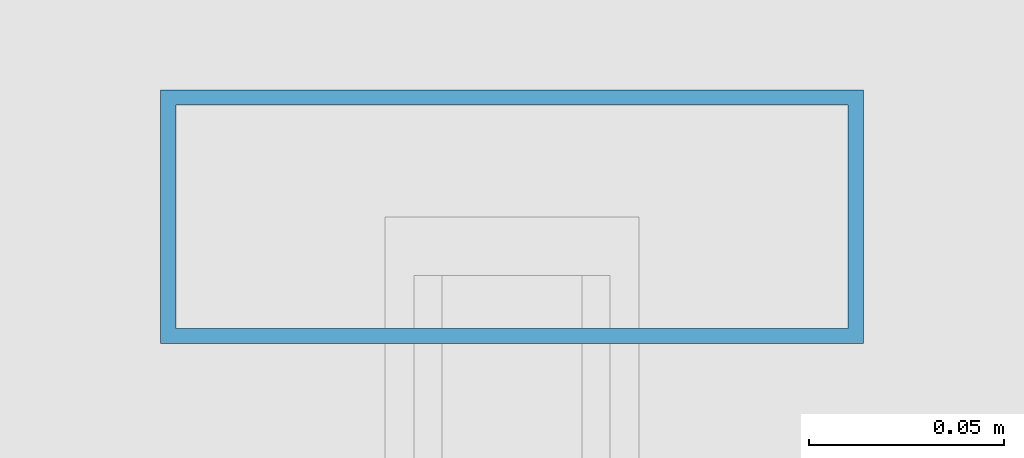
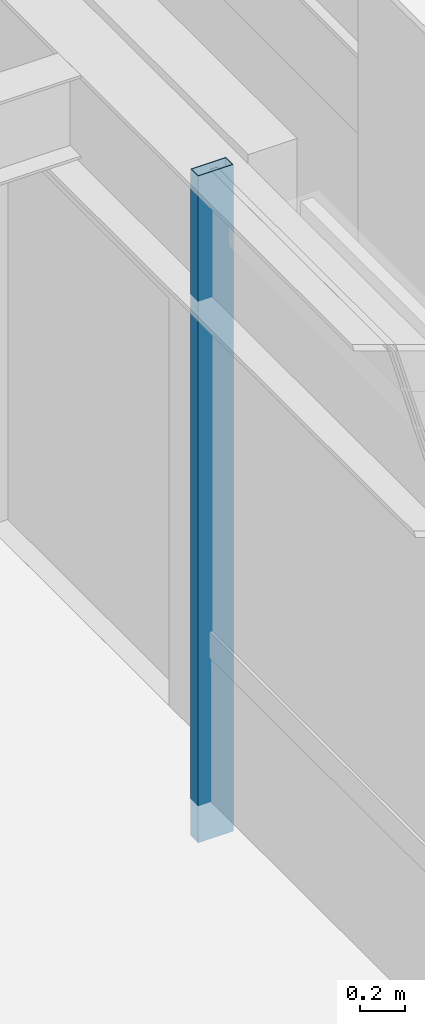
# One storey, part 14 of 31: 1 member, 1 element without a shape of its own.
"""IFC4 building model written with IfcOpenShell, lengths in metres."""

from ifc_helpers import new_model, si_unit, direction, frame, origin, origin_2d, place, context, subcontext, project, spatial, hollow_rectangle, extrude, material, layer, layer_set, material_profile, profile_set, type_object, element, aggregate, save


model = new_model("IFC4")

# Units and contexts
model_context = context("Model", 3, precision=1e-05, world=origin(), true_north=direction((0.0, 1.0)))
body_context = subcontext(model_context, "Body", "Model", "MODEL_VIEW")
ifc_project = project(units=[si_unit("LENGTHUNIT", "METRE"), si_unit("AREAUNIT", "SQUARE_METRE"), si_unit("VOLUMEUNIT", "CUBIC_METRE"), si_unit("PLANEANGLEUNIT", "RADIAN"), si_unit("MASSUNIT", "GRAM", prefix="KILO")], contexts=[model_context])

# Site, building, storey
site_placement = place(None, origin())
site = spatial("IfcSite", under=ifc_project, at=site_placement, CompositionType="ELEMENT")
building_placement = place(site_placement, origin())
building = spatial("IfcBuilding", under=site, at=building_placement, Name="Brelmoor Portico Tower", CompositionType="ELEMENT")
storey_placement = place(building_placement, frame((0.0, 0.0, 27.60009765625)))
storey = spatial("IfcBuildingStorey", under=building, at=storey_placement, Name="L06", CompositionType="ELEMENT", Elevation=27.60009765625)

# Curtain wall, member
ifc_material = material(Name="Anodised Aluminium Alloy 6063-T6", Category="aluminium")
ifc_layer = layer(ifc_material, 0.179931640625)
ifc_layer_set = layer_set([ifc_layer], Name="Anodised Aluminium Alloy 6063-T6")
curtain_wall_type = type_object("IfcCurtainWallType", Name="CW-TOWER-Z1", PredefinedType="NOTDEFINED", material=ifc_layer_set)
curtain_wall_placement = place(storey_placement, origin())
curtain_wall = element("IfcCurtainWall", 1, at=curtain_wall_placement, inside=storey, type_object=curtain_wall_type, Name="L06 Curtain Wall CW-L06-4L-2", PredefinedType="NOTDEFINED")
ifc_material_profile = material_profile(ifc_material, hollow_rectangle(XDim=0.06494140625, YDim=0.179931640625, WallThickness=0.00390625, at=origin_2d()), Name="ALU MULLION 65x180")
ifc_profile_set = profile_set([ifc_material_profile], Name="Anodised Aluminium Alloy 6063-T6")
member_type = type_object("IfcMemberType", Name="MB-CW-MULL-180", PredefinedType="MULLION", material=ifc_profile_set)
member_placement = place(storey_placement, frame((24.550048828125, 5.5, -0.2001953125), z_axis=(0.0, 0.0, 1.0), x_axis=(0.0, 1.0, 0.0)))
member = element("IfcMember", 2, at=member_placement, type_object=member_type, Name="CW-L06-4L-2 Mullion 01", PredefinedType="MULLION", context=body_context, shape_type="SweptSolid", body=[
    extrude(hollow_rectangle(XDim=0.06494140625, YDim=0.179931640625, WallThickness=0.00390625, at=origin_2d()), origin(), (0.0, 0.0, 1.0), 3.60009765625),
])
aggregate(curtain_wall, [member])

save(model, "model.ifc")
